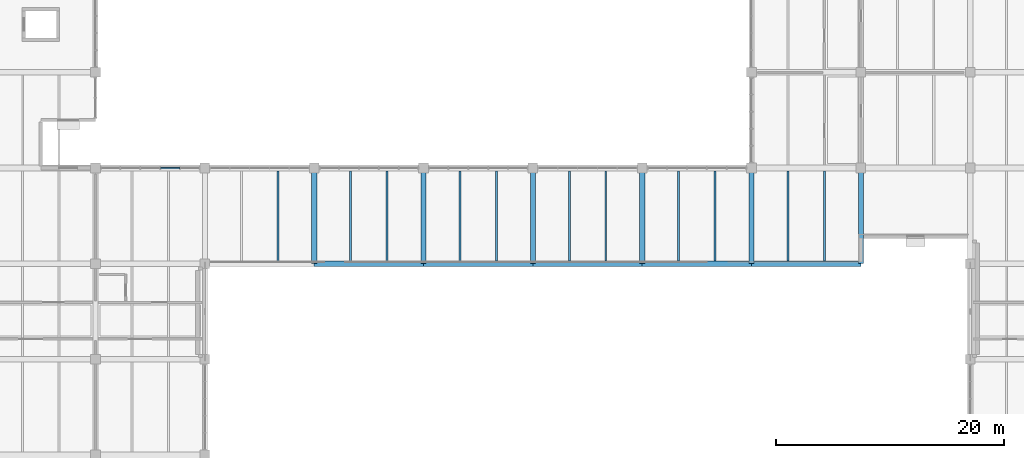
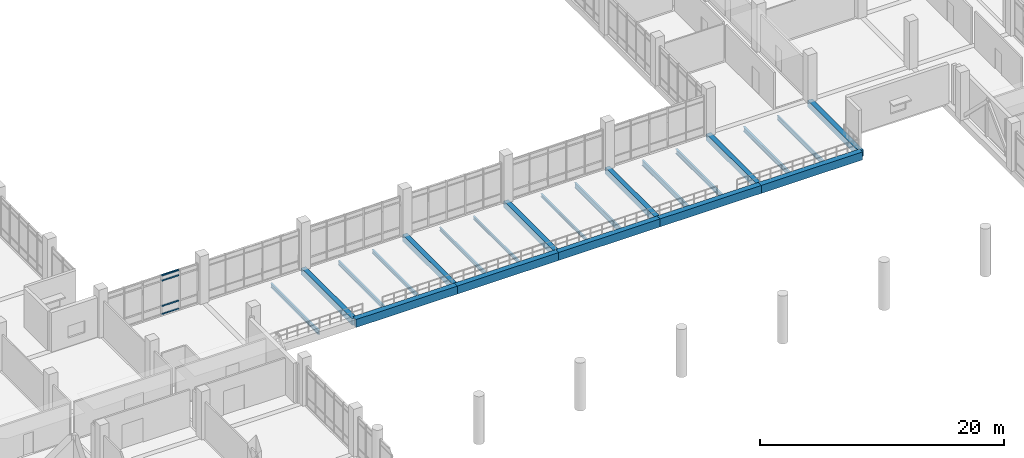
# One storey, part 20 of 152: 22 beams, 4 members, 1 element without a shape of its own.
"""IFC4 building model written with IfcOpenShell, lengths in metres."""

from ifc_helpers import new_model, si_unit, direction, frame, origin, origin_2d, place, context, subcontext, project, spatial, rectangle, i_section, extrude, material, material_profile, profile_set, type_object, element, aggregate, save


model = new_model("IFC4")

# Units and contexts
model_context = context("Model", 3, precision=1e-05, world=origin(), true_north=direction((0.0, 1.0)))
body_context = subcontext(model_context, "Body", "Model", "MODEL_VIEW")
ifc_project = project(units=[si_unit("LENGTHUNIT", "METRE"), si_unit("AREAUNIT", "SQUARE_METRE"), si_unit("VOLUMEUNIT", "CUBIC_METRE"), si_unit("PLANEANGLEUNIT", "RADIAN"), si_unit("MASSUNIT", "GRAM", prefix="KILO")], contexts=[model_context])

# Site, building, storey
site_placement = place(None, origin())
site = spatial("IfcSite", under=ifc_project, at=site_placement, CompositionType="ELEMENT")
building_placement = place(site_placement, origin())
building = spatial("IfcBuilding", under=site, at=building_placement, Name="Oolite Switchyard Hospital", CompositionType="ELEMENT")
storey_placement = place(building_placement, frame((0.0, 0.0, 5.10009765625)))
storey = spatial("IfcBuildingStorey", under=building, at=storey_placement, Name="L01", CompositionType="ELEMENT", Elevation=5.10009765625)

# Beams
ifc_material_1 = material(Name="Concrete C40/50", Category="concrete")
ifc_material_profile_1 = material_profile(ifc_material_1, rectangle(XDim=0.449951171875, YDim=0.64990234375, at=origin_2d()), Name="RCB450X650")
ifc_profile_set_1 = profile_set([ifc_material_profile_1], Name="Concrete C40/50")
beam_type_1 = type_object("IfcBeamType", Name="BM-RC450X650", PredefinedType="BEAM", material=ifc_profile_set_1)
for number, where, z_axis, x_axis, name in (
    (1, (76.800048828125, 25.199951171875, -0.3251953125), (0.0, 1.0, 0.0), (-1.0, 0.0, 0.0), "L01 Y-Girder 407"),
    (2, (86.39990234375, 25.199951171875, -0.3251953125), (0.0, 1.0, 0.0), (-1.0, 0.0, 0.0), "L01 Y-Girder 413"),
    (3, (96.0, 25.199951171875, -0.3251953125), (0.0, 1.0, 0.0), (-1.0, 0.0, 0.0), "L01 Y-Girder 417"),
    (4, (105.60009765625, 25.199951171875, -0.3251953125), (0.0, 1.0, 0.0), (-1.0, 0.0, 0.0), "L01 Y-Girder 421"),
    (5, (115.199951171875, 25.199951171875, -0.3251953125), (0.0, 1.0, 0.0), (-1.0, 0.0, 0.0), "L01 Y-Girder 425"),
    (6, (124.800048828125, 25.199951171875, -0.3251953125), (0.0, 1.0, 0.0), (-1.0, 0.0, 0.0), "L01 Y-Girder 434"),
):
    element("IfcBeam", number, at=place(storey_placement, frame(where, z_axis=z_axis, x_axis=x_axis)), inside=storey, type_object=beam_type_1, Name=name, PredefinedType="BEAM", context=body_context, shape_type="SweptSolid", body=[
        extrude(rectangle(XDim=0.449951171875, YDim=0.64990234375, at=origin_2d()), origin(), (0.0, 0.0, 1.0), 8.400146484375),
    ])
ifc_material_profile_2 = material_profile(ifc_material_1, rectangle(XDim=0.5, YDim=0.800048828125, at=origin_2d()), Name="RCB500X800")
ifc_profile_set_2 = profile_set([ifc_material_profile_2], Name="Concrete C40/50")
beam_type_2 = type_object("IfcBeamType", Name="BM-RC500X800", PredefinedType="BEAM", material=ifc_profile_set_2)
beam_1_placement = place(storey_placement, frame((76.800048828125, 25.199951171875, -0.400146484375), z_axis=(1.0, 0.0, 0.0), x_axis=(0.0, 1.0, 0.0)))
element("IfcBeam", 7, at=beam_1_placement, inside=storey, type_object=beam_type_2, Name="L01 X-Girder 49", PredefinedType="BEAM", context=body_context, shape_type="SweptSolid", body=[
    extrude(rectangle(XDim=0.5, YDim=0.800048828125, at=origin_2d()), origin(), (0.0, 0.0, 1.0), 9.599853515625),
])
for number, where, z_axis, x_axis, name in (
    (8, (86.39990234375, 25.199951171875, -0.400146484375), (1.0, 0.0, 0.0), (0.0, 1.0, 0.0), "L01 X-Girder 50"),
    (9, (96.0, 25.199951171875, -0.400146484375), (1.0, 0.0, 0.0), (0.0, 1.0, 0.0), "L01 X-Girder 51"),
):
    element("IfcBeam", number, at=place(storey_placement, frame(where, z_axis=z_axis, x_axis=x_axis)), inside=storey, type_object=beam_type_2, Name=name, PredefinedType="BEAM", context=body_context, shape_type="SweptSolid", body=[
        extrude(rectangle(XDim=0.5, YDim=0.800048828125, at=origin_2d()), origin(), (0.0, 0.0, 1.0), 9.60009765625),
    ])
beam_2_placement = place(storey_placement, frame((105.60009765625, 25.199951171875, -0.400146484375), z_axis=(1.0, 0.0, 0.0), x_axis=(0.0, 1.0, 0.0)))
element("IfcBeam", 10, at=beam_2_placement, inside=storey, type_object=beam_type_2, Name="L01 X-Girder 52", PredefinedType="BEAM", context=body_context, shape_type="SweptSolid", body=[
    extrude(rectangle(XDim=0.5, YDim=0.800048828125, at=origin_2d()), origin(), (0.0, 0.0, 1.0), 9.599853515625),
])
beam_3_placement = place(storey_placement, frame((115.199951171875, 25.199951171875, -0.400146484375), z_axis=(1.0, 0.0, 0.0), x_axis=(0.0, 1.0, 0.0)))
element("IfcBeam", 11, at=beam_3_placement, inside=storey, type_object=beam_type_2, Name="L01 X-Girder 53", PredefinedType="BEAM", context=body_context, shape_type="SweptSolid", body=[
    extrude(rectangle(XDim=0.5, YDim=0.800048828125, at=origin_2d()), origin(), (0.0, 0.0, 1.0), 9.60009765625),
])
ifc_material_2 = material(Name="Steel ASTM A992 Grade 50", Category="steel")
ifc_material_profile_3 = material_profile(ifc_material_2, i_section(OverallWidth=0.1650390625, OverallDepth=0.31005859375, WebThickness=0.006103515625, FlangeThickness=0.010009765625, at=origin_2d()), Name="W12X26")
ifc_profile_set_3 = profile_set([ifc_material_profile_3], Name="Steel ASTM A992 Grade 50")
beam_type_3 = type_object("IfcBeamType", Name="BM-W12X26", PredefinedType="JOIST", material=ifc_profile_set_3)
for number, where, z_axis, x_axis, name in (
    (12, (92.800048828125, 25.449951171875, -0.43017578125), (0.0, 1.0, 0.0), (-1.0, 0.0, 0.0), "L01 Secondary Steel Joist 769"),
    (13, (99.199951171875, 25.449951171875, -0.43017578125), (0.0, 1.0, 0.0), (-1.0, 0.0, 0.0), "L01 Secondary Steel Joist 774"),
):
    element("IfcBeam", number, at=place(storey_placement, frame(where, z_axis=z_axis, x_axis=x_axis)), inside=storey, type_object=beam_type_3, Name=name, PredefinedType="JOIST", context=body_context, shape_type="SweptSolid", body=[
        extrude(i_section(OverallWidth=0.1650390625, OverallDepth=0.31005859375, WebThickness=0.006103515625, FlangeThickness=0.010009765625, at=origin_2d()), origin(), (0.0, 0.0, 1.0), 7.900146484375),
    ])
ifc_material_profile_4 = material_profile(ifc_material_2, i_section(OverallWidth=0.1708984375, OverallDepth=0.35107421875, WebThickness=0.007080078125, FlangeThickness=0.010009765625, at=origin_2d()), Name="W14X30")
ifc_profile_set_4 = profile_set([ifc_material_profile_4], Name="Steel ASTM A992 Grade 50")
beam_type_4 = type_object("IfcBeamType", Name="BM-W14X30", PredefinedType="JOIST", material=ifc_profile_set_4)
for number, where, z_axis, x_axis, name in (
    (14, (83.199951171875, 25.449951171875, -0.4501953125), (0.0, 1.0, 0.0), (-1.0, 0.0, 0.0), "L01 Secondary Steel Joist 765"),
    (15, (89.60009765625, 25.449951171875, -0.4501953125), (0.0, 1.0, 0.0), (-1.0, 0.0, 0.0), "L01 Secondary Steel Joist 768"),
):
    element("IfcBeam", number, at=place(storey_placement, frame(where, z_axis=z_axis, x_axis=x_axis)), inside=storey, type_object=beam_type_4, Name=name, PredefinedType="JOIST", context=body_context, shape_type="SweptSolid", body=[
        extrude(i_section(OverallWidth=0.1708984375, OverallDepth=0.35107421875, WebThickness=0.007080078125, FlangeThickness=0.010009765625, at=origin_2d()), origin(), (0.0, 0.0, 1.0), 7.900146484375),
    ])
ifc_material_profile_5 = material_profile(ifc_material_2, i_section(OverallWidth=0.177978515625, OverallDepth=0.403076171875, WebThickness=0.008056640625, FlangeThickness=0.010986328125, at=origin_2d()), Name="W16X36")
ifc_profile_set_5 = profile_set([ifc_material_profile_5], Name="Steel ASTM A992 Grade 50")
beam_type_5 = type_object("IfcBeamType", Name="BM-W16X36", PredefinedType="JOIST", material=ifc_profile_set_5)
for number, where, z_axis, x_axis, name in (
    (16, (73.60009765625, 25.449951171875, -0.47705078125), (0.0, 1.0, 0.0), (-1.0, 0.0, 0.0), "L01 Secondary Steel Joist 755"),
    (17, (80.0, 25.449951171875, -0.47705078125), (0.0, 1.0, 0.0), (-1.0, 0.0, 0.0), "L01 Secondary Steel Joist 764"),
):
    element("IfcBeam", number, at=place(storey_placement, frame(where, z_axis=z_axis, x_axis=x_axis)), inside=storey, type_object=beam_type_5, Name=name, PredefinedType="JOIST", context=body_context, shape_type="SweptSolid", body=[
        extrude(i_section(OverallWidth=0.177978515625, OverallDepth=0.403076171875, WebThickness=0.008056640625, FlangeThickness=0.010986328125, at=origin_2d()), origin(), (0.0, 0.0, 1.0), 7.900146484375),
    ])
ifc_material_profile_6 = material_profile(ifc_material_2, i_section(OverallWidth=0.153076171875, OverallDepth=0.455078125, WebThickness=0.008056640625, FlangeThickness=0.012939453125, at=origin_2d()), Name="W18X40")
ifc_profile_set_6 = profile_set([ifc_material_profile_6], Name="Steel ASTM A992 Grade 50")
beam_type_6 = type_object("IfcBeamType", Name="BM-W18X40", PredefinedType="JOIST", material=ifc_profile_set_6)
beam_4_placement = place(storey_placement, frame((121.60009765625, 25.449951171875, -0.503173828125), z_axis=(0.0, 1.0, 0.0), x_axis=(-1.0, 0.0, 0.0)))
element("IfcBeam", 18, at=beam_4_placement, inside=storey, type_object=beam_type_6, Name="L01 Secondary Steel Joist 789", PredefinedType="JOIST", context=body_context, shape_type="SweptSolid", body=[
    extrude(i_section(OverallWidth=0.153076171875, OverallDepth=0.455078125, WebThickness=0.008056640625, FlangeThickness=0.012939453125, at=origin_2d()), origin(), (0.0, 0.0, 1.0), 7.900146484375),
])
ifc_material_profile_7 = material_profile(ifc_material_2, i_section(OverallWidth=0.19091796875, OverallDepth=0.4599609375, WebThickness=0.010009765625, FlangeThickness=0.01611328125, at=origin_2d()), Name="W18X55")
ifc_profile_set_7 = profile_set([ifc_material_profile_7], Name="Steel ASTM A992 Grade 50")
beam_type_7 = type_object("IfcBeamType", Name="BM-W18X55", PredefinedType="JOIST", material=ifc_profile_set_7)
for number, where, z_axis, x_axis, name in (
    (19, (112.0, 25.449951171875, -0.505126953125), (0.0, 1.0, 0.0), (-1.0, 0.0, 0.0), "L01 Secondary Steel Joist 783"),
    (20, (118.39990234375, 25.449951171875, -0.505126953125), (0.0, 1.0, 0.0), (-1.0, 0.0, 0.0), "L01 Secondary Steel Joist 788"),
):
    element("IfcBeam", number, at=place(storey_placement, frame(where, z_axis=z_axis, x_axis=x_axis)), inside=storey, type_object=beam_type_7, Name=name, PredefinedType="JOIST", context=body_context, shape_type="SweptSolid", body=[
        extrude(i_section(OverallWidth=0.19091796875, OverallDepth=0.4599609375, WebThickness=0.010009765625, FlangeThickness=0.01611328125, at=origin_2d()), origin(), (0.0, 0.0, 1.0), 7.900146484375),
    ])
ifc_material_profile_8 = material_profile(ifc_material_2, i_section(OverallWidth=0.166015625, OverallDepth=0.529052734375, WebThickness=0.010009765625, FlangeThickness=0.013916015625, at=origin_2d()), Name="W21X50")
ifc_profile_set_8 = profile_set([ifc_material_profile_8], Name="Steel ASTM A992 Grade 50")
beam_type_8 = type_object("IfcBeamType", Name="BM-W21X50", PredefinedType="JOIST", material=ifc_profile_set_8)
for number, where, z_axis, x_axis, name in (
    (21, (102.39990234375, 25.449951171875, -0.5400390625), (0.0, 1.0, 0.0), (-1.0, 0.0, 0.0), "L01 Secondary Steel Joist 775"),
    (22, (108.800048828125, 25.449951171875, -0.5400390625), (0.0, 1.0, 0.0), (-1.0, 0.0, 0.0), "L01 Secondary Steel Joist 782"),
):
    element("IfcBeam", number, at=place(storey_placement, frame(where, z_axis=z_axis, x_axis=x_axis)), inside=storey, type_object=beam_type_8, Name=name, PredefinedType="JOIST", context=body_context, shape_type="SweptSolid", body=[
        extrude(i_section(OverallWidth=0.166015625, OverallDepth=0.529052734375, WebThickness=0.010009765625, FlangeThickness=0.013916015625, at=origin_2d()), origin(), (0.0, 0.0, 1.0), 7.900146484375),
    ])

# Curtain wall, members
ifc_material_3 = material(Name="Thermally broken aluminum frame with laminated impact glazing", Category="aluminium")
curtain_wall_type = type_object("IfcCurtainWallType", Name="CW-UNIT-96X48", PredefinedType="USERDEFINED", material=ifc_material_3)
curtain_wall_placement = place(storey_placement, origin())
curtain_wall = element("IfcCurtainWall", 23, at=curtain_wall_placement, inside=storey, type_object=curtain_wall_type, Name="L01 Unitised Curtain Wall 109", ObjectType="UNITISED", PredefinedType="USERDEFINED")
ifc_material_4 = material(Name="Aluminium 6063-T6", Category="aluminium")
ifc_material_profile_9 = material_profile(ifc_material_4, rectangle(XDim=0.159912109375, YDim=0.074951171875, at=origin_2d()), Name="CWT75X160")
ifc_profile_set_9 = profile_set([ifc_material_profile_9], Name="Aluminium 6063-T6")
member_type = type_object("IfcMemberType", Name="CW-TRN-180", PredefinedType="USERDEFINED", material=ifc_profile_set_9)
member_1_placement = place(storey_placement, frame((63.3095703125, 33.60009765625, 0.037353515625), z_axis=(1.0, 0.0, 0.0), x_axis=(0.0, 1.0, 0.0)))
member_1 = element("IfcMember", 24, at=member_1_placement, type_object=member_type, Name="CW-02 transom 4.1", ObjectType="TRANSOM", PredefinedType="USERDEFINED", context=body_context, shape_type="SweptSolid", body=[
    extrude(rectangle(XDim=0.159912109375, YDim=0.074951171875, at=origin_2d()), origin(), (0.0, 0.0, 1.0), 1.6689453125),
])
member_2_placement = place(storey_placement, frame((63.3095703125, 33.60009765625, 0.849853515625), z_axis=(1.0, 0.0, 0.0), x_axis=(0.0, 1.0, 0.0)))
member_2 = element("IfcMember", 25, at=member_2_placement, type_object=member_type, Name="CW-02 transom 4.2", ObjectType="TRANSOM", PredefinedType="USERDEFINED", context=body_context, shape_type="SweptSolid", body=[
    extrude(rectangle(XDim=0.159912109375, YDim=0.074951171875, at=origin_2d()), origin(), (0.0, 0.0, 1.0), 1.6689453125),
])
member_3_placement = place(storey_placement, frame((63.3095703125, 33.60009765625, 3.389892578125), z_axis=(1.0, 0.0, 0.0), x_axis=(0.0, 1.0, 0.0)))
member_3 = element("IfcMember", 26, at=member_3_placement, type_object=member_type, Name="CW-02 transom 4.3", ObjectType="TRANSOM", PredefinedType="USERDEFINED", context=body_context, shape_type="SweptSolid", body=[
    extrude(rectangle(XDim=0.159912109375, YDim=0.074951171875, at=origin_2d()), origin(), (0.0, 0.0, 1.0), 1.6689453125),
])
member_4_placement = place(storey_placement, frame((63.3095703125, 33.60009765625, 3.90234375), z_axis=(1.0, 0.0, 0.0), x_axis=(0.0, 1.0, 0.0)))
member_4 = element("IfcMember", 27, at=member_4_placement, type_object=member_type, Name="CW-02 transom 4.4", ObjectType="TRANSOM", PredefinedType="USERDEFINED", context=body_context, shape_type="SweptSolid", body=[
    extrude(rectangle(XDim=0.159912109375, YDim=0.074951171875, at=origin_2d()), origin(), (0.0, 0.0, 1.0), 1.6689453125),
])
aggregate(curtain_wall, [member_1, member_2, member_3, member_4])

save(model, "model.ifc")
